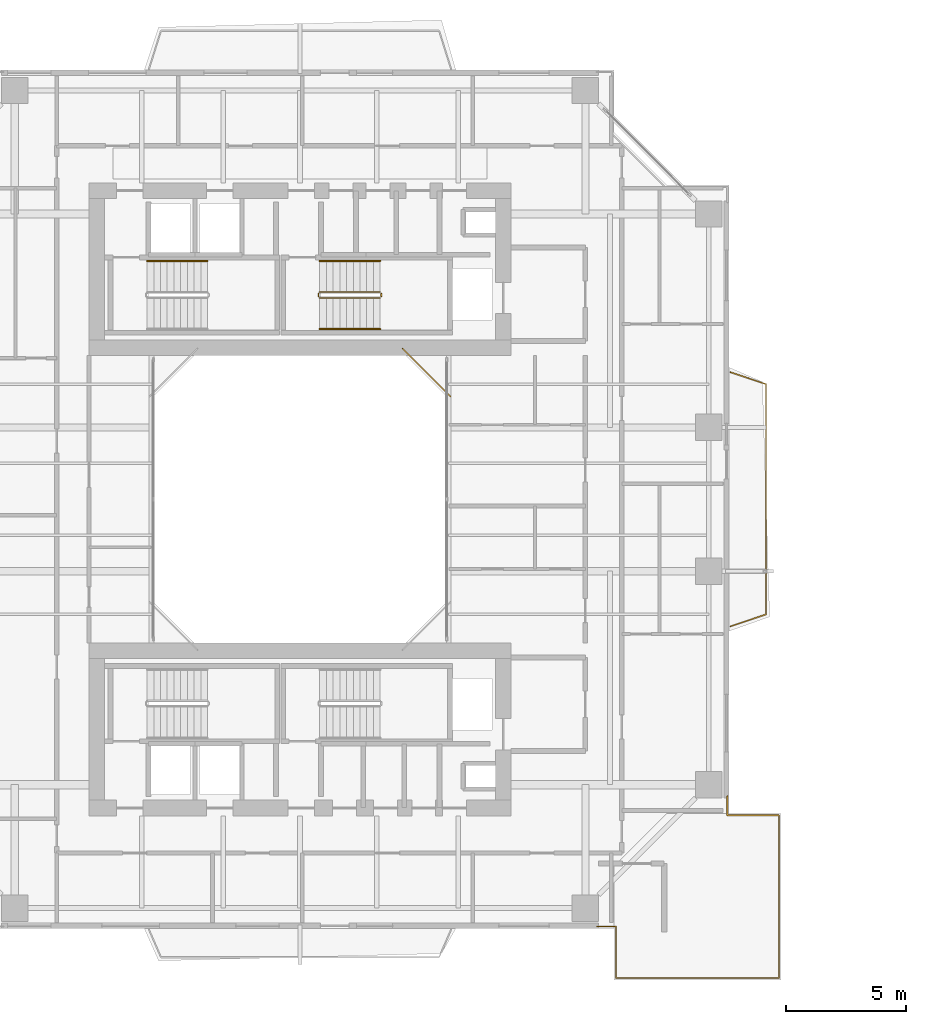
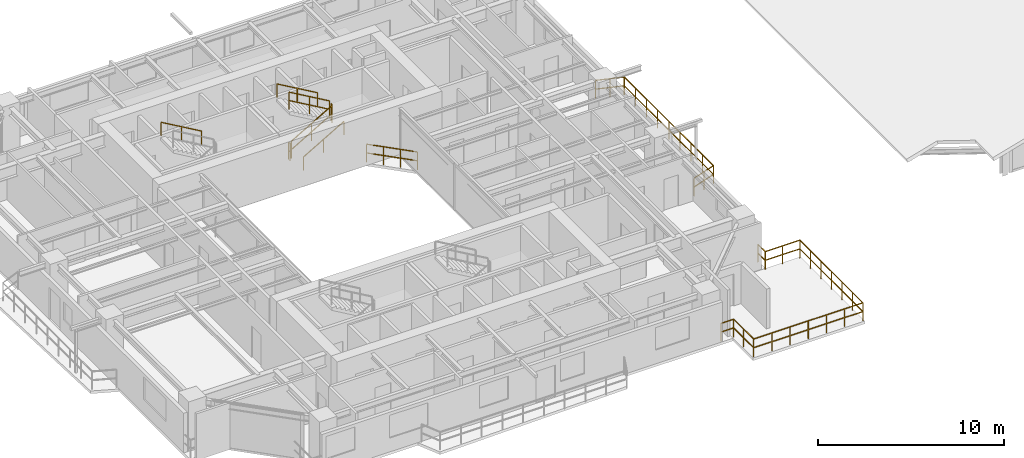
# One storey, part 27 of 28: 10 railings.
"""IFC4 building model written with IfcOpenShell, lengths in metres."""

from ifc_helpers import new_model, si_unit, direction, frame, origin, origin_2d, place, context, subcontext, project, spatial, rectangle, extrude, material, type_object, element, save


model = new_model("IFC4")

# Units and contexts
model_context = context("Model", 3, precision=1e-05, world=origin(), true_north=direction((0.0, 1.0)))
body_context = subcontext(model_context, "Body", "Model", "MODEL_VIEW")
ifc_project = project(units=[si_unit("LENGTHUNIT", "METRE"), si_unit("AREAUNIT", "SQUARE_METRE"), si_unit("VOLUMEUNIT", "CUBIC_METRE"), si_unit("PLANEANGLEUNIT", "RADIAN"), si_unit("MASSUNIT", "GRAM", prefix="KILO"), si_unit("THERMODYNAMICTEMPERATUREUNIT", "KELVIN"), si_unit("POWERUNIT", "WATT")], contexts=[model_context])

# Site, building, storey
site_placement = place(None, origin())
site = spatial("IfcSite", under=ifc_project, at=site_placement, CompositionType="ELEMENT")
building_placement = place(site_placement, origin())
building = spatial("IfcBuilding", under=site, at=building_placement, Name="Qiaomeng Ring Towers", CompositionType="ELEMENT")
storey_placement = place(building_placement, frame((0.0, 0.0, 113.25)))
storey = spatial("IfcBuildingStorey", under=building, at=storey_placement, Name="L32", CompositionType="ELEMENT", Elevation=113.25)

# Railings
ifc_material_1 = material(Name="Low-E pale-green laminated safety glass", Category="glass")
railing_type_1 = type_object("IfcRailingType", Name="ARC-RL-BAL1", PredefinedType="BALUSTRADE", material=ifc_material_1)
railing_1_placement = place(storey_placement, frame((25.280029296875, 27.280029296875, 0.0)))
element("IfcRailing", 1, at=railing_1_placement, inside=storey, type_object=railing_type_1, Name="L32 Balustrade ARC-BAL-WELL1-L32-2", PredefinedType="BALUSTRADE", context=body_context, shape_type="SweptSolid", body=[
    extrude(rectangle(XDim=0.048095703125, YDim=0.048095703125, at=origin_2d()), frame((0.0, 0.0, 1.17578125), z_axis=(-0.707106781187, 0.707106781187, 0.0), x_axis=(-0.707106781187, -0.707106781187, 0.0)), (0.0, 0.0, 1.0), 2.828369140625),
    extrude(rectangle(XDim=0.048095703125, YDim=0.048095703125, at=origin_2d()), frame((0.0, 0.0, 0.60009765625), z_axis=(-0.707106781187, 0.707106781187, 0.0), x_axis=(-0.707106781187, -0.707106781187, 0.0)), (0.0, 0.0, 1.0), 2.828369140625),
    extrude(rectangle(XDim=0.0419921875, YDim=0.0419921875, at=origin_2d()), origin(), (0.0, 0.0, 1.0), 1.15185546875),
    extrude(rectangle(XDim=0.0419921875, YDim=0.0419921875, at=origin_2d()), frame((-0.666748046875, 0.666748046875, 0.0)), (0.0, 0.0, 1.0), 1.15185546875),
    extrude(rectangle(XDim=0.0419921875, YDim=0.0419921875, at=origin_2d()), frame((-1.333251953125, 1.333251953125, 0.0)), (0.0, 0.0, 1.0), 1.15185546875),
    extrude(rectangle(XDim=0.0419921875, YDim=0.0419921875, at=origin_2d()), frame((-2.0, 2.0, 0.0)), (0.0, 0.0, 1.0), 1.15185546875),
])
railing_2_placement = place(storey_placement, frame((31.3798828125, 5.179931640625, 0.0)))
element("IfcRailing", 2, at=railing_2_placement, inside=storey, type_object=railing_type_1, Name="L32 Balustrade ARC-BAL-L32-SPIRAL-SE", PredefinedType="BALUSTRADE", context=body_context, shape_type="SweptSolid", body=[
    extrude(rectangle(XDim=0.048095703125, YDim=0.048095703125, at=origin_2d()), frame((0.0, 0.0, 1.17578125), z_axis=(1.0, 0.0, 0.0), x_axis=(0.0, 1.0, 0.0)), (0.0, 0.0, 1.0), 0.800048828125),
    extrude(rectangle(XDim=0.048095703125, YDim=0.048095703125, at=origin_2d()), frame((0.0, 0.0, 0.60009765625), z_axis=(1.0, 0.0, 0.0), x_axis=(0.0, 1.0, 0.0)), (0.0, 0.0, 1.0), 0.800048828125),
    extrude(rectangle(XDim=0.048095703125, YDim=0.048095703125, at=origin_2d()), frame((0.800048828125, 0.0, 1.17578125), z_axis=(0.0, -1.0, 0.0), x_axis=(1.0, 0.0, 0.0)), (0.0, 0.0, 1.0), 2.14990234375),
    extrude(rectangle(XDim=0.048095703125, YDim=0.048095703125, at=origin_2d()), frame((0.800048828125, 0.0, 0.60009765625), z_axis=(0.0, -1.0, 0.0), x_axis=(1.0, 0.0, 0.0)), (0.0, 0.0, 1.0), 2.14990234375),
    extrude(rectangle(XDim=0.048095703125, YDim=0.048095703125, at=origin_2d()), frame((0.800048828125, -2.14990234375, 1.17578125), z_axis=(1.0, 0.0, 0.0), x_axis=(0.0, 1.0, 0.0)), (0.0, 0.0, 1.0), 6.7900390625),
    extrude(rectangle(XDim=0.048095703125, YDim=0.048095703125, at=origin_2d()), frame((0.800048828125, -2.14990234375, 0.60009765625), z_axis=(1.0, 0.0, 0.0), x_axis=(0.0, 1.0, 0.0)), (0.0, 0.0, 1.0), 6.7900390625),
    extrude(rectangle(XDim=0.048095703125, YDim=0.048095703125, at=origin_2d()), frame((7.590087890625, -2.14990234375, 1.17578125), z_axis=(0.0, 1.0, 0.0), x_axis=(-1.0, 0.0, 0.0)), (0.0, 0.0, 1.0), 6.7900390625),
    extrude(rectangle(XDim=0.048095703125, YDim=0.048095703125, at=origin_2d()), frame((7.590087890625, -2.14990234375, 0.60009765625), z_axis=(0.0, 1.0, 0.0), x_axis=(-1.0, 0.0, 0.0)), (0.0, 0.0, 1.0), 6.7900390625),
    extrude(rectangle(XDim=0.048095703125, YDim=0.048095703125, at=origin_2d()), frame((7.590087890625, 4.64013671875, 1.17578125), z_axis=(-1.0, 0.0, 0.0), x_axis=(0.0, -1.0, 0.0)), (0.0, 0.0, 1.0), 2.14990234375),
    extrude(rectangle(XDim=0.048095703125, YDim=0.048095703125, at=origin_2d()), frame((7.590087890625, 4.64013671875, 0.60009765625), z_axis=(-1.0, 0.0, 0.0), x_axis=(0.0, -1.0, 0.0)), (0.0, 0.0, 1.0), 2.14990234375),
    extrude(rectangle(XDim=0.048095703125, YDim=0.048095703125, at=origin_2d()), frame((5.440185546875, 4.64013671875, 1.17578125), z_axis=(0.0, 1.0, 0.0), x_axis=(-1.0, 0.0, 0.0)), (0.0, 0.0, 1.0), 0.800048828125),
    extrude(rectangle(XDim=0.048095703125, YDim=0.048095703125, at=origin_2d()), frame((5.440185546875, 4.64013671875, 0.60009765625), z_axis=(0.0, 1.0, 0.0), x_axis=(-1.0, 0.0, 0.0)), (0.0, 0.0, 1.0), 0.800048828125),
    extrude(rectangle(XDim=0.0419921875, YDim=0.0419921875, at=origin_2d()), origin(), (0.0, 0.0, 1.0), 1.15185546875),
    extrude(rectangle(XDim=0.0419921875, YDim=0.0419921875, at=origin_2d()), frame((0.800048828125, 0.0, 0.0)), (0.0, 0.0, 1.0), 1.15185546875),
    extrude(rectangle(XDim=0.0419921875, YDim=0.0419921875, at=origin_2d()), frame((0.800048828125, -1.074951171875, 0.0)), (0.0, 0.0, 1.0), 1.15185546875),
    extrude(rectangle(XDim=0.0419921875, YDim=0.0419921875, at=origin_2d()), frame((0.800048828125, -2.14990234375, 0.0)), (0.0, 0.0, 1.0), 1.15185546875),
    extrude(rectangle(XDim=0.0419921875, YDim=0.0419921875, at=origin_2d()), frame((1.931640625, -2.14990234375, 0.0)), (0.0, 0.0, 1.0), 1.15185546875),
    extrude(rectangle(XDim=0.0419921875, YDim=0.0419921875, at=origin_2d()), frame((3.0634765625, -2.14990234375, 0.0)), (0.0, 0.0, 1.0), 1.15185546875),
    extrude(rectangle(XDim=0.0419921875, YDim=0.0419921875, at=origin_2d()), frame((4.195068359375, -2.14990234375, 0.0)), (0.0, 0.0, 1.0), 1.15185546875),
    extrude(rectangle(XDim=0.0419921875, YDim=0.0419921875, at=origin_2d()), frame((5.32666015625, -2.14990234375, 0.0)), (0.0, 0.0, 1.0), 1.15185546875),
    extrude(rectangle(XDim=0.0419921875, YDim=0.0419921875, at=origin_2d()), frame((6.45849609375, -2.14990234375, 0.0)), (0.0, 0.0, 1.0), 1.15185546875),
    extrude(rectangle(XDim=0.0419921875, YDim=0.0419921875, at=origin_2d()), frame((7.590087890625, -2.14990234375, 0.0)), (0.0, 0.0, 1.0), 1.15185546875),
    extrude(rectangle(XDim=0.0419921875, YDim=0.0419921875, at=origin_2d()), frame((7.590087890625, -1.018310546875, 0.0)), (0.0, 0.0, 1.0), 1.15185546875),
    extrude(rectangle(XDim=0.0419921875, YDim=0.0419921875, at=origin_2d()), frame((7.590087890625, 0.113525390625, 0.0)), (0.0, 0.0, 1.0), 1.15185546875),
    extrude(rectangle(XDim=0.0419921875, YDim=0.0419921875, at=origin_2d()), frame((7.590087890625, 1.2451171875, 0.0)), (0.0, 0.0, 1.0), 1.15185546875),
    extrude(rectangle(XDim=0.0419921875, YDim=0.0419921875, at=origin_2d()), frame((7.590087890625, 2.376708984375, 0.0)), (0.0, 0.0, 1.0), 1.15185546875),
    extrude(rectangle(XDim=0.0419921875, YDim=0.0419921875, at=origin_2d()), frame((7.590087890625, 3.508544921875, 0.0)), (0.0, 0.0, 1.0), 1.15185546875),
    extrude(rectangle(XDim=0.0419921875, YDim=0.0419921875, at=origin_2d()), frame((7.590087890625, 4.64013671875, 0.0)), (0.0, 0.0, 1.0), 1.15185546875),
    extrude(rectangle(XDim=0.0419921875, YDim=0.0419921875, at=origin_2d()), frame((6.51513671875, 4.64013671875, 0.0)), (0.0, 0.0, 1.0), 1.15185546875),
    extrude(rectangle(XDim=0.0419921875, YDim=0.0419921875, at=origin_2d()), frame((5.440185546875, 4.64013671875, 0.0)), (0.0, 0.0, 1.0), 1.15185546875),
    extrude(rectangle(XDim=0.0419921875, YDim=0.0419921875, at=origin_2d()), frame((5.440185546875, 5.440185546875, 0.0)), (0.0, 0.0, 1.0), 1.15185546875),
])
railing_3_placement = place(storey_placement, frame((36.949951171875, 17.699951171875, 0.0)))
element("IfcRailing", 3, at=railing_3_placement, inside=storey, type_object=railing_type_1, Name="L32 Balustrade ARC-BAL-L32-T1-E", PredefinedType="BALUSTRADE", context=body_context, shape_type="SweptSolid", body=[
    extrude(rectangle(XDim=0.048095703125, YDim=0.048095703125, at=origin_2d()), frame((0.0, 0.0, 1.17578125), z_axis=(0.948044476945, 0.318137815629, 0.0), x_axis=(-0.318137815629, 0.948044476945, 0.0)), (0.0, 0.0, 1.0), 1.571533203125),
    extrude(rectangle(XDim=0.048095703125, YDim=0.048095703125, at=origin_2d()), frame((0.0, 0.0, 0.60009765625), z_axis=(0.948044476945, 0.318137815629, 0.0), x_axis=(-0.318137815629, 0.948044476945, 0.0)), (0.0, 0.0, 1.0), 1.571533203125),
    extrude(rectangle(XDim=0.048095703125, YDim=0.048095703125, at=origin_2d()), frame((1.489990234375, 0.5, 1.17578125), z_axis=(0.0, 1.0, 0.0), x_axis=(-1.0, 0.0, 0.0)), (0.0, 0.0, 1.0), 9.60009765625),
    extrude(rectangle(XDim=0.048095703125, YDim=0.048095703125, at=origin_2d()), frame((1.489990234375, 0.5, 0.60009765625), z_axis=(0.0, 1.0, 0.0), x_axis=(-1.0, 0.0, 0.0)), (0.0, 0.0, 1.0), 9.60009765625),
    extrude(rectangle(XDim=0.048095703125, YDim=0.048095703125, at=origin_2d()), frame((1.489990234375, 10.10009765625, 1.17578125), z_axis=(-0.948044476945, 0.318137815629, 0.0), x_axis=(-0.318137815629, -0.948044476945, 0.0)), (0.0, 0.0, 1.0), 1.571533203125),
    extrude(rectangle(XDim=0.048095703125, YDim=0.048095703125, at=origin_2d()), frame((1.489990234375, 10.10009765625, 0.60009765625), z_axis=(-0.948044476945, 0.318137815629, 0.0), x_axis=(-0.318137815629, -0.948044476945, 0.0)), (0.0, 0.0, 1.0), 1.571533203125),
    extrude(rectangle(XDim=0.0419921875, YDim=0.0419921875, at=origin_2d()), origin(), (0.0, 0.0, 1.0), 1.15185546875),
    extrude(rectangle(XDim=0.0419921875, YDim=0.0419921875, at=origin_2d()), frame((0.7451171875, 0.25, 0.0)), (0.0, 0.0, 1.0), 1.15185546875),
    extrude(rectangle(XDim=0.0419921875, YDim=0.0419921875, at=origin_2d()), frame((1.489990234375, 0.5, 0.0)), (0.0, 0.0, 1.0), 1.15185546875),
    extrude(rectangle(XDim=0.0419921875, YDim=0.0419921875, at=origin_2d()), frame((1.489990234375, 1.699951171875, 0.0)), (0.0, 0.0, 1.0), 1.15185546875),
    extrude(rectangle(XDim=0.0419921875, YDim=0.0419921875, at=origin_2d()), frame((1.489990234375, 2.89990234375, 0.0)), (0.0, 0.0, 1.0), 1.15185546875),
    extrude(rectangle(XDim=0.0419921875, YDim=0.0419921875, at=origin_2d()), frame((1.489990234375, 4.10009765625, 0.0)), (0.0, 0.0, 1.0), 1.15185546875),
    extrude(rectangle(XDim=0.0419921875, YDim=0.0419921875, at=origin_2d()), frame((1.489990234375, 5.300048828125, 0.0)), (0.0, 0.0, 1.0), 1.15185546875),
    extrude(rectangle(XDim=0.0419921875, YDim=0.0419921875, at=origin_2d()), frame((1.489990234375, 6.5, 0.0)), (0.0, 0.0, 1.0), 1.15185546875),
    extrude(rectangle(XDim=0.0419921875, YDim=0.0419921875, at=origin_2d()), frame((1.489990234375, 7.7001953125, 0.0)), (0.0, 0.0, 1.0), 1.15185546875),
    extrude(rectangle(XDim=0.0419921875, YDim=0.0419921875, at=origin_2d()), frame((1.489990234375, 8.900146484375, 0.0)), (0.0, 0.0, 1.0), 1.15185546875),
    extrude(rectangle(XDim=0.0419921875, YDim=0.0419921875, at=origin_2d()), frame((1.489990234375, 10.10009765625, 0.0)), (0.0, 0.0, 1.0), 1.15185546875),
    extrude(rectangle(XDim=0.0419921875, YDim=0.0419921875, at=origin_2d()), frame((0.7451171875, 10.35009765625, 0.0)), (0.0, 0.0, 1.0), 1.15185546875),
    extrude(rectangle(XDim=0.0419921875, YDim=0.0419921875, at=origin_2d()), frame((0.0, 10.60009765625, 0.0)), (0.0, 0.0, 1.0), 1.15185546875),
])
ifc_material_2 = material(Name="Galvanised steel", Category="steel")
railing_type_2 = type_object("IfcRailingType", Name="ARC-RL-GUARD", PredefinedType="GUARDRAIL", material=ifc_material_2)
railing_4_placement = place(storey_placement, frame((19.820068359375, 31.39990234375, 0.16259765625)))
element("IfcRailing", 4, at=railing_4_placement, inside=storey, type_object=railing_type_2, Name="L32 ST2 stair guard 1", PredefinedType="GUARDRAIL", context=body_context, shape_type="SweptSolid", body=[
    extrude(rectangle(XDim=0.048095703125, YDim=0.048095703125, at=origin_2d()), frame((0.0, 0.0, 1.1259765625), z_axis=(0.864913338283, 0.0, 0.50192122615), x_axis=(0.0, 1.0, 0.0)), (0.0, 0.0, 1.0), 2.91357421875),
    extrude(rectangle(XDim=0.048095703125, YDim=0.048095703125, at=origin_2d()), frame((0.0, 0.0, 0.574951171875), z_axis=(0.864913338283, 0.0, 0.50192122615), x_axis=(0.0, 1.0, 0.0)), (0.0, 0.0, 1.0), 2.91357421875),
    extrude(rectangle(XDim=0.0419921875, YDim=0.0419921875, at=origin_2d()), origin(), (0.0, 0.0, 1.0), 1.101806640625),
    extrude(rectangle(XDim=0.0419921875, YDim=0.0419921875, at=origin_2d()), frame((1.260009765625, 0.0, 0.731201171875)), (0.0, 0.0, 1.0), 1.101806640625),
    extrude(rectangle(XDim=0.0419921875, YDim=0.0419921875, at=origin_2d()), frame((2.52001953125, 0.0, 1.46240234375)), (0.0, 0.0, 1.0), 1.101806640625),
])
railing_5_placement = place(storey_placement, frame((22.389892578125, 31.449951171875, 1.625)))
element("IfcRailing", 5, at=railing_5_placement, inside=storey, type_object=railing_type_2, Name="L32 ST2 stair guard 2", PredefinedType="GUARDRAIL", context=body_context, shape_type="SweptSolid", body=[
    extrude(rectangle(XDim=0.048095703125, YDim=0.048095703125, at=origin_2d()), frame((0.0, 0.0, 1.1259765625), z_axis=(0.0, 1.0, 0.0), x_axis=(-1.0, 0.0, 0.0)), (0.0, 0.0, 1.0), 0.14013671875),
    extrude(rectangle(XDim=0.048095703125, YDim=0.048095703125, at=origin_2d()), frame((0.0, 0.0, 0.574951171875), z_axis=(0.0, 1.0, 0.0), x_axis=(-1.0, 0.0, 0.0)), (0.0, 0.0, 1.0), 0.14013671875),
    extrude(rectangle(XDim=0.0419921875, YDim=0.0419921875, at=origin_2d()), origin(), (0.0, 0.0, 1.0), 1.101806640625),
    extrude(rectangle(XDim=0.0419921875, YDim=0.0419921875, at=origin_2d()), frame((0.0, 0.14013671875, 0.0)), (0.0, 0.0, 1.0), 1.101806640625),
])
railing_6_placement = place(storey_placement, frame((22.340087890625, 31.639892578125, 1.78759765625)))
element("IfcRailing", 6, at=railing_6_placement, inside=storey, type_object=railing_type_2, Name="L32 ST2 stair guard 3", PredefinedType="GUARDRAIL", context=body_context, shape_type="SweptSolid", body=[
    extrude(rectangle(XDim=0.048095703125, YDim=0.048095703125, at=origin_2d()), frame((0.0, 0.0, 1.1259765625), z_axis=(-0.864913338283, 0.0, 0.50192122615), x_axis=(0.0, -1.0, 0.0)), (0.0, 0.0, 1.0), 2.91357421875),
    extrude(rectangle(XDim=0.048095703125, YDim=0.048095703125, at=origin_2d()), frame((0.0, 0.0, 0.574951171875), z_axis=(-0.864913338283, 0.0, 0.50192122615), x_axis=(0.0, -1.0, 0.0)), (0.0, 0.0, 1.0), 2.91357421875),
    extrude(rectangle(XDim=0.0419921875, YDim=0.0419921875, at=origin_2d()), origin(), (0.0, 0.0, 1.0), 1.101806640625),
    extrude(rectangle(XDim=0.0419921875, YDim=0.0419921875, at=origin_2d()), frame((-1.260009765625, 0.0, 0.731201171875)), (0.0, 0.0, 1.0), 1.101806640625),
    extrude(rectangle(XDim=0.0419921875, YDim=0.0419921875, at=origin_2d()), frame((-2.52001953125, 0.0, 1.46240234375)), (0.0, 0.0, 1.0), 1.101806640625),
])
railing_7_placement = place(storey_placement, frame((19.77001953125, 31.449951171875, 0.0)))
element("IfcRailing", 7, at=railing_7_placement, inside=storey, type_object=railing_type_2, Name="L32 ST2 stair guard 4", PredefinedType="GUARDRAIL", context=body_context, shape_type="SweptSolid", body=[
    extrude(rectangle(XDim=0.048095703125, YDim=0.048095703125, at=origin_2d()), frame((0.0, 0.0, 1.1259765625), z_axis=(0.0, 1.0, 0.0), x_axis=(-1.0, 0.0, 0.0)), (0.0, 0.0, 1.0), 0.14013671875),
    extrude(rectangle(XDim=0.048095703125, YDim=0.048095703125, at=origin_2d()), frame((0.0, 0.0, 0.574951171875), z_axis=(0.0, 1.0, 0.0), x_axis=(-1.0, 0.0, 0.0)), (0.0, 0.0, 1.0), 0.14013671875),
    extrude(rectangle(XDim=0.0419921875, YDim=0.0419921875, at=origin_2d()), origin(), (0.0, 0.0, 1.0), 1.101806640625),
    extrude(rectangle(XDim=0.0419921875, YDim=0.0419921875, at=origin_2d()), frame((0.0, 0.14013671875, 0.0)), (0.0, 0.0, 1.0), 1.101806640625),
])
ifc_material_3 = material(Name="Stainless steel 316", Category="steel")
railing_type_3 = type_object("IfcRailingType", Name="ARC-RL-HAND", PredefinedType="HANDRAIL", material=ifc_material_3)
railing_8_placement = place(storey_placement, frame((15.139892578125, 32.93994140625, 1.78759765625)))
element("IfcRailing", 8, at=railing_8_placement, inside=storey, type_object=railing_type_3, Name="L32 ST1 stair handrail 2", PredefinedType="HANDRAIL", context=body_context, shape_type="SweptSolid", body=[
    extrude(rectangle(XDim=0.048095703125, YDim=0.048095703125, at=origin_2d()), frame((0.0, 0.0, 0.8759765625), z_axis=(-0.864892226395, 0.0, 0.501957604506), x_axis=(0.0, -1.0, 0.0)), (0.0, 0.0, 1.0), 2.913330078125),
    extrude(rectangle(XDim=0.0419921875, YDim=0.0419921875, at=origin_2d()), origin(), (0.0, 0.0, 1.0), 0.851806640625),
    extrude(rectangle(XDim=0.0419921875, YDim=0.0419921875, at=origin_2d()), frame((-1.259765625, 0.0, 0.731201171875)), (0.0, 0.0, 1.0), 0.851806640625),
    extrude(rectangle(XDim=0.0419921875, YDim=0.0419921875, at=origin_2d()), frame((-2.519775390625, 0.0, 1.46240234375)), (0.0, 0.0, 1.0), 0.851806640625),
])
railing_9_placement = place(storey_placement, frame((19.820068359375, 30.10009765625, 0.16259765625)))
element("IfcRailing", 9, at=railing_9_placement, inside=storey, type_object=railing_type_3, Name="L32 ST2 stair handrail 1", PredefinedType="HANDRAIL", context=body_context, shape_type="SweptSolid", body=[
    extrude(rectangle(XDim=0.048095703125, YDim=0.048095703125, at=origin_2d()), frame((0.0, 0.0, 0.8759765625), z_axis=(0.864913338283, 0.0, 0.50192122615), x_axis=(0.0, 1.0, 0.0)), (0.0, 0.0, 1.0), 2.91357421875),
    extrude(rectangle(XDim=0.0419921875, YDim=0.0419921875, at=origin_2d()), origin(), (0.0, 0.0, 1.0), 0.851806640625),
    extrude(rectangle(XDim=0.0419921875, YDim=0.0419921875, at=origin_2d()), frame((1.260009765625, 0.0, 0.731201171875)), (0.0, 0.0, 1.0), 0.851806640625),
    extrude(rectangle(XDim=0.0419921875, YDim=0.0419921875, at=origin_2d()), frame((2.52001953125, 0.0, 1.46240234375)), (0.0, 0.0, 1.0), 0.851806640625),
])
railing_10_placement = place(storey_placement, frame((22.340087890625, 32.93994140625, 1.78759765625)))
element("IfcRailing", 10, at=railing_10_placement, inside=storey, type_object=railing_type_3, Name="L32 ST2 stair handrail 2", PredefinedType="HANDRAIL", context=body_context, shape_type="SweptSolid", body=[
    extrude(rectangle(XDim=0.048095703125, YDim=0.048095703125, at=origin_2d()), frame((0.0, 0.0, 0.8759765625), z_axis=(-0.864913338283, 0.0, 0.50192122615), x_axis=(0.0, -1.0, 0.0)), (0.0, 0.0, 1.0), 2.91357421875),
    extrude(rectangle(XDim=0.0419921875, YDim=0.0419921875, at=origin_2d()), origin(), (0.0, 0.0, 1.0), 0.851806640625),
    extrude(rectangle(XDim=0.0419921875, YDim=0.0419921875, at=origin_2d()), frame((-1.260009765625, 0.0, 0.731201171875)), (0.0, 0.0, 1.0), 0.851806640625),
    extrude(rectangle(XDim=0.0419921875, YDim=0.0419921875, at=origin_2d()), frame((-2.52001953125, 0.0, 1.46240234375)), (0.0, 0.0, 1.0), 0.851806640625),
])

save(model, "model.ifc")
